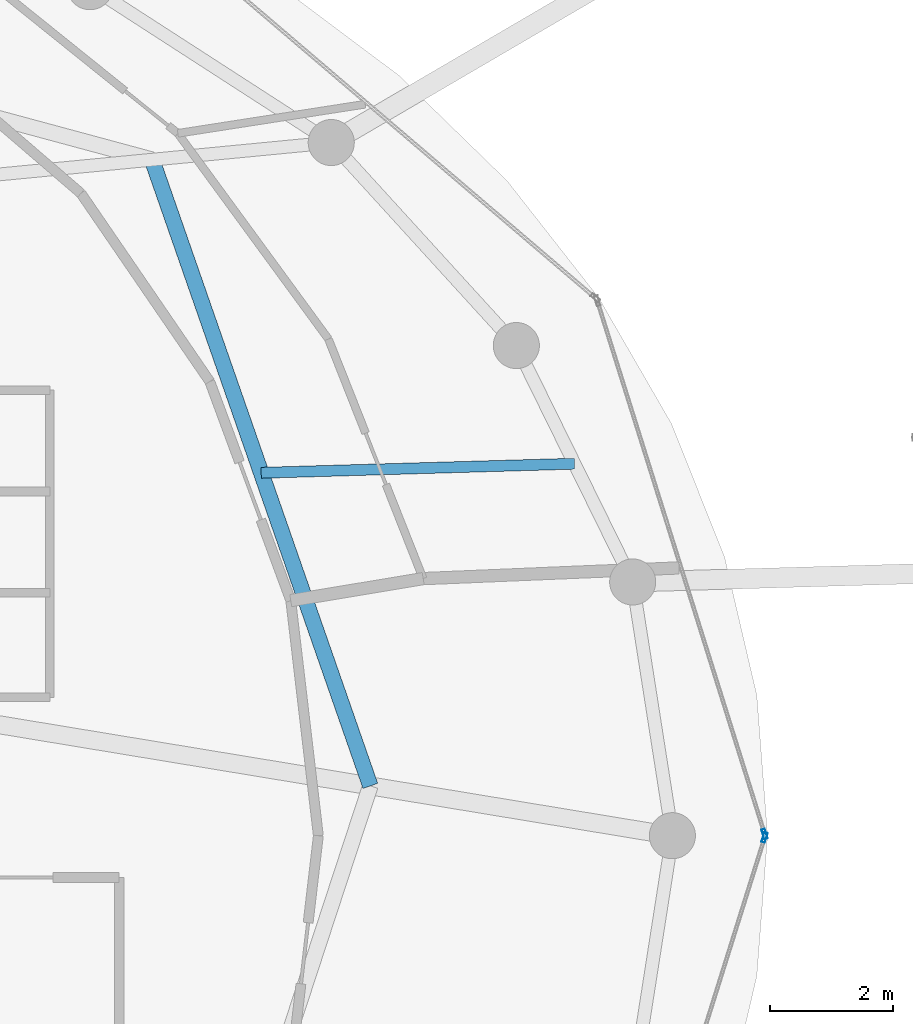
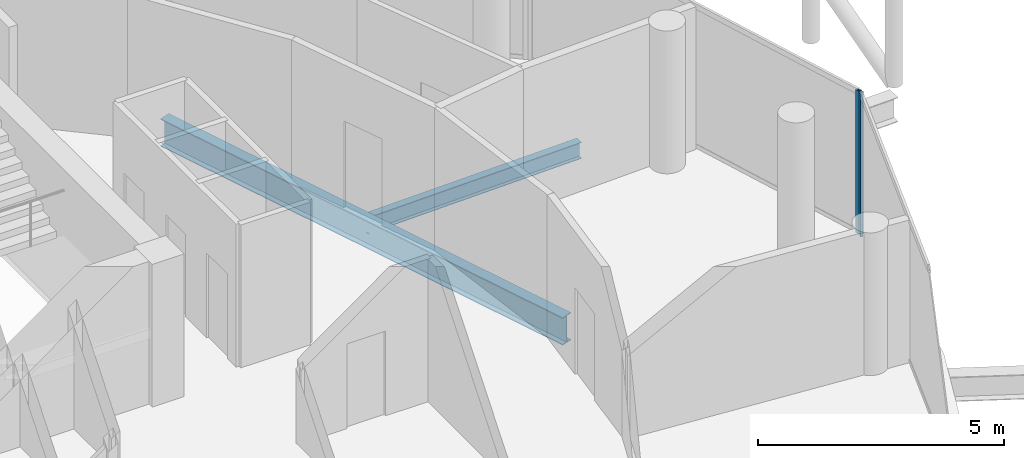
# One storey, part 12 of 24: 2 beams, 2 members, 2 elements without a shape of their own.
"""IFC4 building model written with IfcOpenShell, lengths in metres."""

from ifc_helpers import new_model, si_unit, direction, frame, origin, origin_2d, place, context, subcontext, project, spatial, hollow_rectangle, i_section, extrude, material, layer, layer_set, material_profile, profile_set, type_object, element, aggregate, save


model = new_model("IFC4")

# Units and contexts
model_context = context("Model", 3, precision=1e-05, world=origin(), true_north=direction((0.0, 1.0)))
body_context = subcontext(model_context, "Body", "Model", "MODEL_VIEW")
ifc_project = project(units=[si_unit("LENGTHUNIT", "METRE"), si_unit("AREAUNIT", "SQUARE_METRE"), si_unit("VOLUMEUNIT", "CUBIC_METRE"), si_unit("PLANEANGLEUNIT", "RADIAN"), si_unit("MASSUNIT", "GRAM", prefix="KILO")], contexts=[model_context])

# Site, building, storey
site_placement = place(None, origin())
site = spatial("IfcSite", under=ifc_project, at=site_placement, CompositionType="ELEMENT")
building_placement = place(site_placement, origin())
building = spatial("IfcBuilding", under=site, at=building_placement, Name="Nuhasar Tower", CompositionType="ELEMENT")
storey_placement = place(building_placement, frame((0.0, 0.0, 289.800048828125)))
storey = spatial("IfcBuildingStorey", under=building, at=storey_placement, Name="L72", CompositionType="ELEMENT", Elevation=289.800048828125)

# Beams
ifc_material_1 = material(Name="Steel S355", Category="steel")
ifc_material_profile_1 = material_profile(ifc_material_1, i_section(OverallWidth=0.25390625, OverallDepth=0.68408203125, WebThickness=0.012451171875, FlangeThickness=0.018798828125, at=origin_2d()), Name="W27X94")
ifc_profile_set_1 = profile_set([ifc_material_profile_1], Name="Steel S355")
beam_type_1 = type_object("IfcBeamType", Name="BM-INRING-W27X94", PredefinedType="BEAM", material=ifc_profile_set_1)
beam_1_placement = place(storey_placement, frame((53.035888671875, 27.610107421875, -0.60205078125), z_axis=(-0.329211236979, 0.944256300718, 0.0), x_axis=(-0.944256300718, -0.329211236979, 0.0)))
element("IfcBeam", 1, at=beam_1_placement, inside=storey, type_object=beam_type_1, Name="L72 Inner Header Beam 04", PredefinedType="BEAM", context=body_context, shape_type="SweptSolid", body=[
    extrude(i_section(OverallWidth=0.25390625, OverallDepth=0.68408203125, WebThickness=0.012451171875, FlangeThickness=0.018798828125, at=origin_2d()), origin(), (0.0, 0.0, 1.0), 10.78955078125),
])
ifc_material_profile_2 = material_profile(ifc_material_1, i_section(OverallWidth=0.177978515625, OverallDepth=0.406005859375, WebThickness=0.0078125, FlangeThickness=0.0126953125, at=origin_2d()), Name="W16X40")
ifc_profile_set_2 = profile_set([ifc_material_profile_2], Name="Steel S355")
beam_type_2 = type_object("IfcBeamType", Name="BM-JST-W16X40", PredefinedType="JOIST", material=ifc_profile_set_2)
beam_2_placement = place(storey_placement, frame((51.260009765625, 32.7041015625, -0.463134765625), z_axis=(0.999579139243, 0.02900938453, 0.0), x_axis=(-0.02900938453, 0.999579139243, 0.0)))
element("IfcBeam", 2, at=beam_2_placement, inside=storey, type_object=beam_type_2, Name="L72 Secondary Floor Joist 04", PredefinedType="JOIST", context=body_context, shape_type="SweptSolid", body=[
    extrude(i_section(OverallWidth=0.177978515625, OverallDepth=0.406005859375, WebThickness=0.0078125, FlangeThickness=0.0126953125, at=origin_2d()), origin(), (0.0, 0.0, 1.0), 5.10009765625),
])

# Curtain wall, member
ifc_material_2 = material(Name="Aluminium 6063-T6", Category="aluminium")
ifc_layer = layer(ifc_material_2, 0.18994140625)
ifc_layer_set = layer_set([ifc_layer], Name="Aluminium 6063-T6")
curtain_wall_type = type_object("IfcCurtainWallType", Name="CW-Z4-PEN", PredefinedType="NOTDEFINED", material=ifc_layer_set)
curtain_wall_1_placement = place(storey_placement, origin())
curtain_wall_1 = element("IfcCurtainWall", 3, at=curtain_wall_1_placement, inside=storey, type_object=curtain_wall_type, Name="L72 Unitised Curtain Wall 01", PredefinedType="NOTDEFINED")
ifc_material_profile_3 = material_profile(ifc_material_2, hollow_rectangle(XDim=0.06005859375, YDim=0.1650390625, WallThickness=0.0048828125, at=origin_2d()), Name="CWM-5")
ifc_profile_set_3 = profile_set([ifc_material_profile_3], Name="Aluminium 6063-T6")
member_type = type_object("IfcMemberType", Name="CW-MUL-S5", PredefinedType="MULLION", material=ifc_profile_set_3)
member_1_placement = place(storey_placement, frame((59.450927734375, 26.82861328125, 0.0), z_axis=(0.0, 0.0, 1.0), x_axis=(-0.954078526601, -0.299556614146, 0.0)))
member_1 = element("IfcMember", 4, at=member_1_placement, type_object=member_type, Name="CW-Z4 mullion 1", PredefinedType="MULLION", context=body_context, shape_type="SweptSolid", body=[
    extrude(hollow_rectangle(XDim=0.06005859375, YDim=0.1650390625, WallThickness=0.0048828125, at=origin_2d()), origin(), (0.0, 0.0, 1.0), 3.5400390625),
])
aggregate(curtain_wall_1, [member_1])

curtain_wall_2_placement = place(storey_placement, origin())
curtain_wall_2 = element("IfcCurtainWall", 5, at=curtain_wall_2_placement, inside=storey, type_object=curtain_wall_type, Name="L72 Unitised Curtain Wall 12", PredefinedType="NOTDEFINED")
member_2_placement = place(storey_placement, frame((59.450927734375, 26.771484375, 0.0), z_axis=(0.0, 0.0, 1.0), x_axis=(-0.954078526601, 0.299556614146, 0.0)))
member_2 = element("IfcMember", 6, at=member_2_placement, type_object=member_type, Name="CW-Z4 mullion 2", PredefinedType="MULLION", context=body_context, shape_type="SweptSolid", body=[
    extrude(hollow_rectangle(XDim=0.06005859375, YDim=0.1650390625, WallThickness=0.0048828125, at=origin_2d()), origin(), (0.0, 0.0, 1.0), 3.5400390625),
])
aggregate(curtain_wall_2, [member_2])

save(model, "model.ifc")
